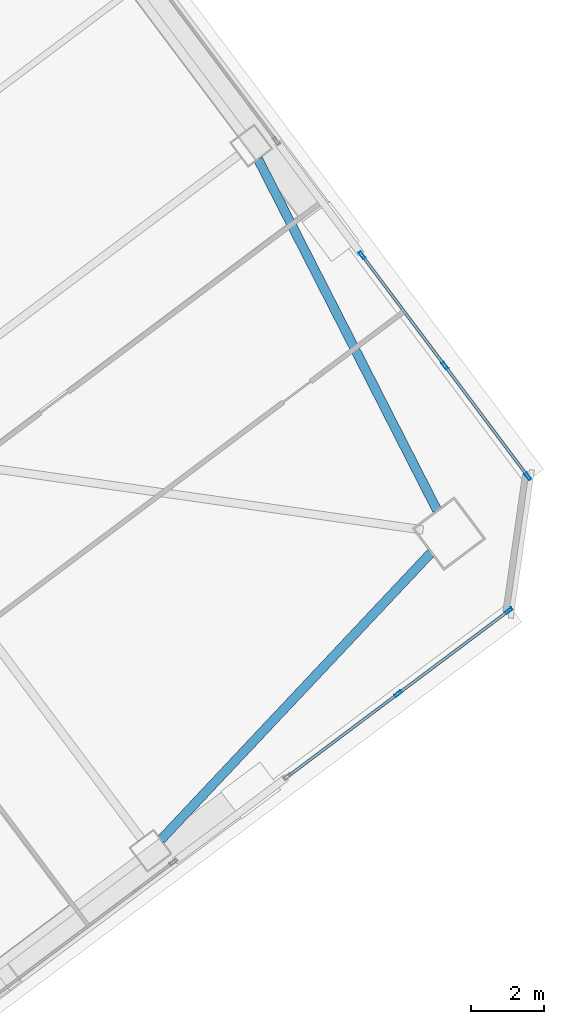
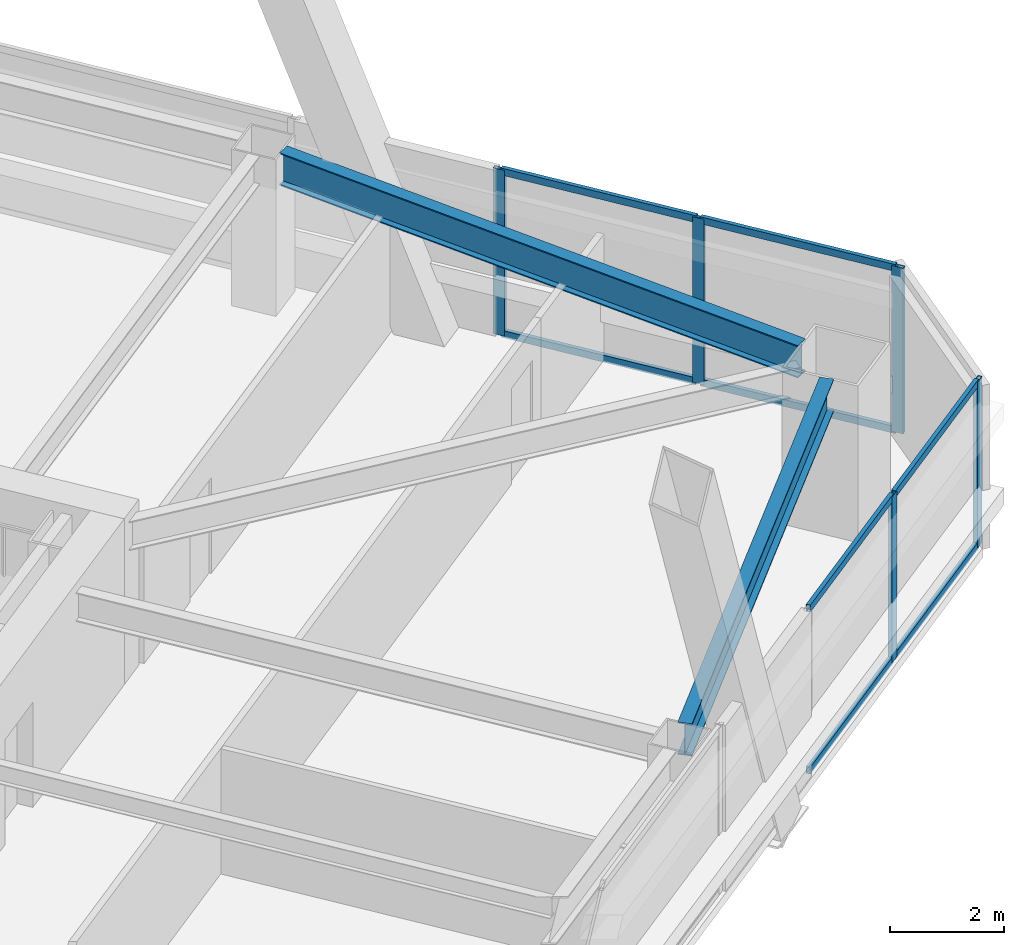
# One storey, part 32 of 54: 13 members, 2 beams, 2 elements without a shape of their own.
"""IFC4 building model written with IfcOpenShell, lengths in metres."""

from ifc_helpers import new_model, si_unit, direction, frame, origin, origin_2d, place, context, subcontext, project, spatial, hollow_rectangle, i_section, extrude, material, material_profile, profile_set, type_object, element, aggregate, save


model = new_model("IFC4")

# Units and contexts
model_context = context("Model", 3, precision=1e-05, world=origin(), true_north=direction((0.0, 1.0)))
body_context = subcontext(model_context, "Body", "Model", "MODEL_VIEW")
ifc_project = project(units=[si_unit("LENGTHUNIT", "METRE"), si_unit("AREAUNIT", "SQUARE_METRE"), si_unit("VOLUMEUNIT", "CUBIC_METRE"), si_unit("PLANEANGLEUNIT", "RADIAN"), si_unit("MASSUNIT", "GRAM", prefix="KILO")], contexts=[model_context])

# Site, building, storey
site_placement = place(None, origin())
site = spatial("IfcSite", under=ifc_project, at=site_placement, CompositionType="ELEMENT")
building_placement = place(site_placement, origin())
building = spatial("IfcBuilding", under=site, at=building_placement, Name="Tashvorn Skyway Center", CompositionType="ELEMENT")
storey_placement = place(building_placement, frame((0.0, 0.0, 88.5)))
storey = spatial("IfcBuildingStorey", under=building, at=storey_placement, Name="L23", CompositionType="ELEMENT", Elevation=88.5)

# Beams
ifc_material_1 = material(Name="Steel ASTM A992 Grade 50", Category="steel")
ifc_material_profile_1 = material_profile(ifc_material_1, i_section(OverallWidth=0.256103515625, OverallDepth=0.693115234375, WebThickness=0.014404296875, FlangeThickness=0.023681640625, at=origin_2d()), Name="W27X114")
ifc_profile_set_1 = profile_set([ifc_material_profile_1], Name="Steel ASTM A992 Grade 50")
beam_type = type_object("IfcBeamType", Name="BM-SPANDREL-W27X114", PredefinedType="SPANDREL", material=ifc_profile_set_1)
beam_1_placement = place(storey_placement, frame((130.157958984375, 20.145751953125, 3.00341796875), z_axis=(0.685484857238, 0.728086883893, 0.0), x_axis=(-0.728086883893, 0.685484857238, 0.0)))
element("IfcBeam", 1, at=beam_1_placement, inside=storey, type_object=beam_type, Name="Tower 2 L23 Spandrel Beam 03", PredefinedType="SPANDREL", context=body_context, shape_type="SweptSolid", body=[
    extrude(i_section(OverallWidth=0.256103515625, OverallDepth=0.693115234375, WebThickness=0.014404296875, FlangeThickness=0.023681640625, at=origin_2d()), origin(), (0.0, 0.0, 1.0), 10.8369140625),
])
beam_2_placement = place(storey_placement, frame((137.7529296875, 29.201416015625, 3.00341796875), z_axis=(-0.454210938961, 0.890894170442, 0.0), x_axis=(-0.890894170442, -0.454210938961, 0.0)))
element("IfcBeam", 2, at=beam_2_placement, inside=storey, type_object=beam_type, Name="Tower 2 L23 Spandrel Beam 04", PredefinedType="SPANDREL", context=body_context, shape_type="SweptSolid", body=[
    extrude(i_section(OverallWidth=0.256103515625, OverallDepth=0.693115234375, WebThickness=0.014404296875, FlangeThickness=0.023681640625, at=origin_2d()), origin(), (0.0, 0.0, 1.0), 10.836669921875),
])

# Curtain wall, members
ifc_material_2 = material(Name="Thermally broken bronze-anodized aluminium 6063-T6", Category="aluminium")
curtain_wall_type = type_object("IfcCurtainWallType", Name="CW-CW-Z2", PredefinedType="NOTDEFINED", material=ifc_material_2)
curtain_wall_1_placement = place(storey_placement, origin())
curtain_wall_1 = element("IfcCurtainWall", 3, at=curtain_wall_1_placement, inside=storey, type_object=curtain_wall_type, Name="Tower 2 L23 South Unitised Curtain Wall Glazing Group 1", PredefinedType="NOTDEFINED")
ifc_material_profile_2 = material_profile(ifc_material_2, hollow_rectangle(XDim=0.080078125, YDim=0.219970703125, WallThickness=0.0048828125, at=origin_2d()), Name="ALU-MULL-80x220")
ifc_profile_set_2 = profile_set([ifc_material_profile_2], Name="Thermally broken bronze-anodized aluminium 6063-T6")
member_type_1 = type_object("IfcMemberType", Name="CWM-CW-Z2", PredefinedType="MULLION", material=ifc_profile_set_2)
member_1_placement = place(storey_placement, frame((139.719970703125, 26.43994140625, 0.0), z_axis=(0.0, 0.0, 1.0), x_axis=(0.600000000002, -0.799999999998, 0.0)))
member_1 = element("IfcMember", 4, at=member_1_placement, type_object=member_type_1, Name="CW-Z2 mullion 1", PredefinedType="MULLION", context=body_context, shape_type="SweptSolid", body=[
    extrude(hollow_rectangle(XDim=0.080078125, YDim=0.219970703125, WallThickness=0.0048828125, at=origin_2d()), origin(), (0.0, 0.0, 1.0), 3.550048828125),
])
member_2_placement = place(storey_placement, frame((136.679931640625, 24.159912109375, 0.0), z_axis=(0.0, 0.0, 1.0), x_axis=(0.600000000002, -0.799999999998, 0.0)))
member_2 = element("IfcMember", 5, at=member_2_placement, type_object=member_type_1, Name="CW-Z2 mullion 2", PredefinedType="MULLION", context=body_context, shape_type="SweptSolid", body=[
    extrude(hollow_rectangle(XDim=0.080078125, YDim=0.219970703125, WallThickness=0.0048828125, at=origin_2d()), origin(), (0.0, 0.0, 1.0), 3.550048828125),
])

curtain_wall_2_placement = place(storey_placement, origin())
curtain_wall_2 = element("IfcCurtainWall", 6, at=curtain_wall_2_placement, inside=storey, type_object=curtain_wall_type, Name="Tower 2 L23 East Unitised Curtain Wall Glazing Group 3", PredefinedType="NOTDEFINED")
member_3_placement = place(storey_placement, frame((135.68798828125, 36.216064453125, 0.0), z_axis=(0.0, 0.0, 1.0), x_axis=(0.799999999998, 0.600000000002, 0.0)))
member_3 = element("IfcMember", 7, at=member_3_placement, type_object=member_type_1, Name="CW-Z2 mullion 1", PredefinedType="MULLION", context=body_context, shape_type="SweptSolid", body=[
    extrude(hollow_rectangle(XDim=0.080078125, YDim=0.219970703125, WallThickness=0.0048828125, at=origin_2d()), origin(), (0.0, 0.0, 1.0), 3.550048828125),
])
member_4_placement = place(storey_placement, frame((137.968017578125, 33.176025390625, 0.0), z_axis=(0.0, 0.0, 1.0), x_axis=(0.799999999998, 0.600000000002, 0.0)))
member_4 = element("IfcMember", 8, at=member_4_placement, type_object=member_type_1, Name="CW-Z2 mullion 2", PredefinedType="MULLION", context=body_context, shape_type="SweptSolid", body=[
    extrude(hollow_rectangle(XDim=0.080078125, YDim=0.219970703125, WallThickness=0.0048828125, at=origin_2d()), origin(), (0.0, 0.0, 1.0), 3.550048828125),
])
member_5_placement = place(storey_placement, frame((140.248046875, 30.135986328125, 0.0), z_axis=(0.0, 0.0, 1.0), x_axis=(0.799999999998, 0.600000000002, 0.0)))
member_5 = element("IfcMember", 9, at=member_5_placement, type_object=member_type_1, Name="CW-Z2 mullion 3", PredefinedType="MULLION", context=body_context, shape_type="SweptSolid", body=[
    extrude(hollow_rectangle(XDim=0.080078125, YDim=0.219970703125, WallThickness=0.0048828125, at=origin_2d()), origin(), (0.0, 0.0, 1.0), 3.550048828125),
])

# Member
ifc_material_profile_3 = material_profile(ifc_material_2, hollow_rectangle(XDim=0.080078125, YDim=0.14990234375, WallThickness=0.00439453125, at=origin_2d()), Name="ALU-TRAN-80x150")
ifc_profile_set_3 = profile_set([ifc_material_profile_3], Name="Thermally broken bronze-anodized aluminium 6063-T6")
member_type_2 = type_object("IfcMemberType", Name="CWT-CW-Z2", PredefinedType="USERDEFINED", material=ifc_profile_set_3)
member_6_placement = place(storey_placement, frame((139.68798828125, 26.416015625, 0.0400390625), z_axis=(-0.80001575065, -0.599978998559, 0.0), x_axis=(0.599978998559, -0.80001575065, 0.0)))
member_6 = element("IfcMember", 10, at=member_6_placement, type_object=member_type_2, Name="CW-Z2 transom 1.1", ObjectType="TRANSOM", PredefinedType="USERDEFINED", context=body_context, shape_type="SweptSolid", body=[
    extrude(hollow_rectangle(XDim=0.080078125, YDim=0.14990234375, WallThickness=0.00439453125, at=origin_2d()), origin(), (0.0, 0.0, 1.0), 3.719970703125),
])

member_7_placement = place(storey_placement, frame((139.68798828125, 26.416015625, 3.510009765625), z_axis=(-0.80001575065, -0.599978998559, 0.0), x_axis=(0.599978998559, -0.80001575065, 0.0)))
member_7 = element("IfcMember", 11, at=member_7_placement, type_object=member_type_2, Name="CW-Z2 transom 1.2", ObjectType="TRANSOM", PredefinedType="USERDEFINED", context=body_context, shape_type="SweptSolid", body=[
    extrude(hollow_rectangle(XDim=0.080078125, YDim=0.14990234375, WallThickness=0.00439453125, at=origin_2d()), origin(), (0.0, 0.0, 1.0), 3.719970703125),
])

member_8_placement = place(storey_placement, frame((136.64794921875, 24.135986328125, 0.0400390625), z_axis=(-0.799992124055, -0.600010501117, 0.0), x_axis=(0.600010501117, -0.799992124055, 0.0)))
member_8 = element("IfcMember", 12, at=member_8_placement, type_object=member_type_2, Name="CW-Z2 transom 2.1", ObjectType="TRANSOM", PredefinedType="USERDEFINED", context=body_context, shape_type="SweptSolid", body=[
    extrude(hollow_rectangle(XDim=0.080078125, YDim=0.14990234375, WallThickness=0.00439453125, at=origin_2d()), origin(), (0.0, 0.0, 1.0), 3.7197265625),
])

member_9_placement = place(storey_placement, frame((136.64794921875, 24.135986328125, 3.510009765625), z_axis=(-0.799992124055, -0.600010501117, 0.0), x_axis=(0.600010501117, -0.799992124055, 0.0)))
member_9 = element("IfcMember", 13, at=member_9_placement, type_object=member_type_2, Name="CW-Z2 transom 2.2", ObjectType="TRANSOM", PredefinedType="USERDEFINED", context=body_context, shape_type="SweptSolid", body=[
    extrude(hollow_rectangle(XDim=0.080078125, YDim=0.14990234375, WallThickness=0.00439453125, at=origin_2d()), origin(), (0.0, 0.0, 1.0), 3.7197265625),
])

aggregate(curtain_wall_1, [member_1, member_2, member_6, member_7, member_8, member_9])

member_10_placement = place(storey_placement, frame((135.7119140625, 36.18408203125, 0.0400390625), z_axis=(0.6000210002, -0.799984249419, 0.0), x_axis=(0.799984249419, 0.6000210002, 0.0)))
member_10 = element("IfcMember", 14, at=member_10_placement, type_object=member_type_2, Name="CW-Z2 transom 1.1", ObjectType="TRANSOM", PredefinedType="USERDEFINED", context=body_context, shape_type="SweptSolid", body=[
    extrude(hollow_rectangle(XDim=0.080078125, YDim=0.14990234375, WallThickness=0.00439453125, at=origin_2d()), origin(), (0.0, 0.0, 1.0), 3.72021484375),
])

member_11_placement = place(storey_placement, frame((135.7119140625, 36.18408203125, 3.510009765625), z_axis=(0.6000210002, -0.799984249419, 0.0), x_axis=(0.799984249419, 0.6000210002, 0.0)))
member_11 = element("IfcMember", 15, at=member_11_placement, type_object=member_type_2, Name="CW-Z2 transom 1.2", ObjectType="TRANSOM", PredefinedType="USERDEFINED", context=body_context, shape_type="SweptSolid", body=[
    extrude(hollow_rectangle(XDim=0.080078125, YDim=0.14990234375, WallThickness=0.00439453125, at=origin_2d()), origin(), (0.0, 0.0, 1.0), 3.72021484375),
])

member_12_placement = place(storey_placement, frame((137.991943359375, 33.14404296875, 0.0400390625), z_axis=(0.6000210002, -0.799984249419, 0.0), x_axis=(0.799984249419, 0.6000210002, 0.0)))
member_12 = element("IfcMember", 16, at=member_12_placement, type_object=member_type_2, Name="CW-Z2 transom 2.1", ObjectType="TRANSOM", PredefinedType="USERDEFINED", context=body_context, shape_type="SweptSolid", body=[
    extrude(hollow_rectangle(XDim=0.080078125, YDim=0.14990234375, WallThickness=0.00439453125, at=origin_2d()), origin(), (0.0, 0.0, 1.0), 3.72021484375),
])

member_13_placement = place(storey_placement, frame((137.991943359375, 33.14404296875, 3.510009765625), z_axis=(0.6000210002, -0.799984249419, 0.0), x_axis=(0.799984249419, 0.6000210002, 0.0)))
member_13 = element("IfcMember", 17, at=member_13_placement, type_object=member_type_2, Name="CW-Z2 transom 2.2", ObjectType="TRANSOM", PredefinedType="USERDEFINED", context=body_context, shape_type="SweptSolid", body=[
    extrude(hollow_rectangle(XDim=0.080078125, YDim=0.14990234375, WallThickness=0.00439453125, at=origin_2d()), origin(), (0.0, 0.0, 1.0), 3.72021484375),
])

aggregate(curtain_wall_2, [member_3, member_4, member_5, member_10, member_11, member_12, member_13])

save(model, "model.ifc")
